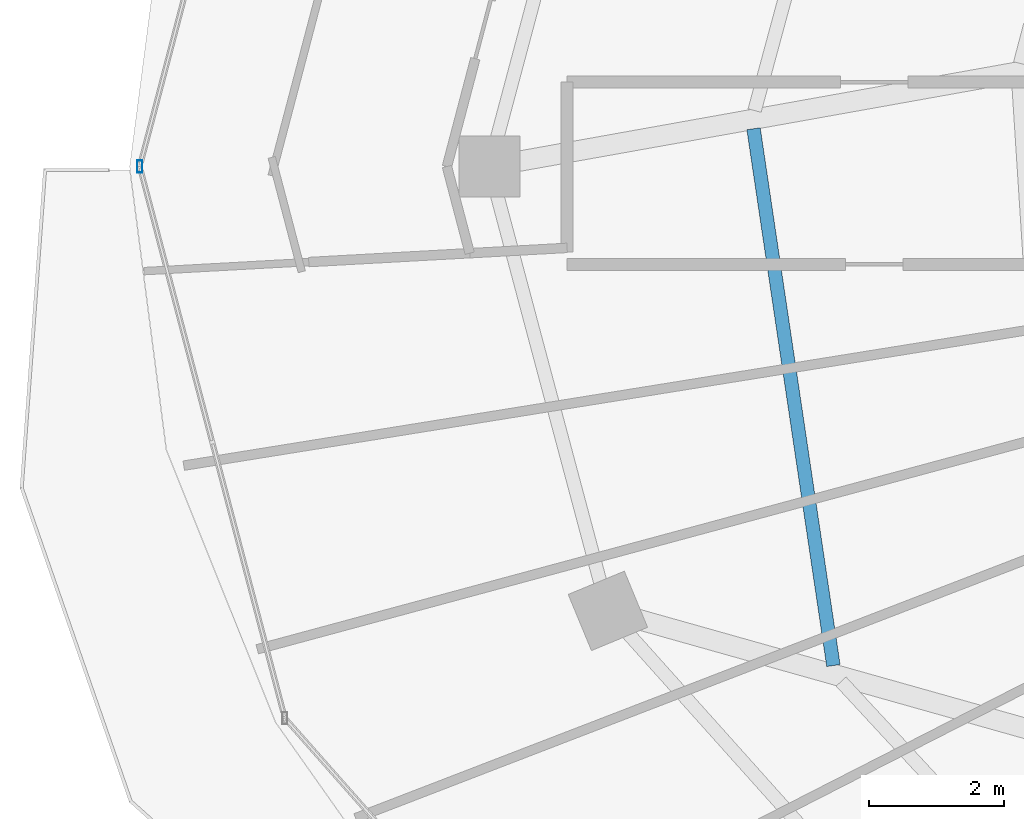
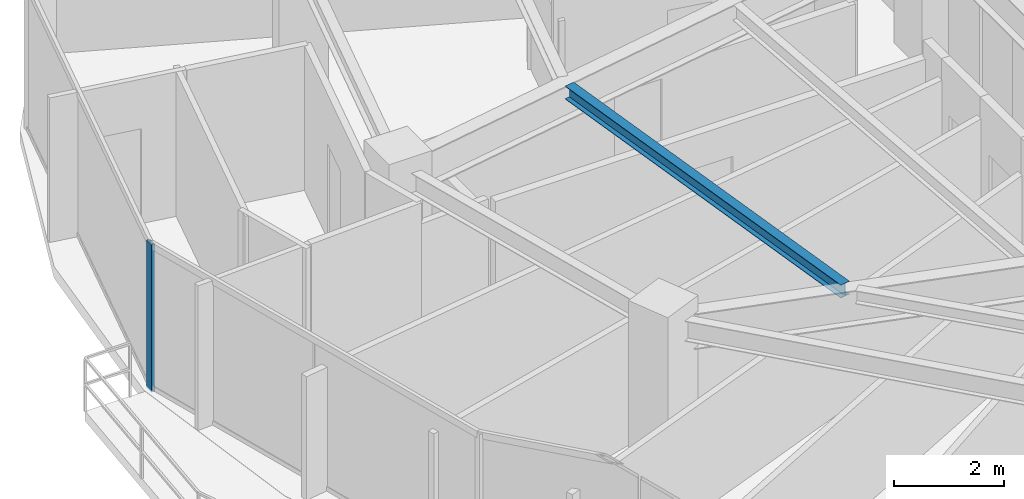
# One storey, part 7 of 33: 1 beam, 1 member, 1 element without a shape of its own.
"""IFC4 building model written with IfcOpenShell, lengths in metres."""

from ifc_helpers import new_model, si_unit, direction, frame, origin, origin_2d, place, context, subcontext, project, spatial, hollow_rectangle, i_section, extrude, material, material_profile, profile_set, type_object, element, aggregate, save


model = new_model("IFC4")

# Units and contexts
model_context = context("Model", 3, precision=1e-05, world=origin(), true_north=direction((0.0, 1.0)))
body_context = subcontext(model_context, "Body", "Model", "MODEL_VIEW")
ifc_project = project(units=[si_unit("LENGTHUNIT", "METRE"), si_unit("AREAUNIT", "SQUARE_METRE"), si_unit("VOLUMEUNIT", "CUBIC_METRE"), si_unit("PLANEANGLEUNIT", "RADIAN"), si_unit("MASSUNIT", "GRAM", prefix="KILO")], contexts=[model_context])

# Site, building, storey
site_placement = place(None, origin())
site = spatial("IfcSite", under=ifc_project, at=site_placement, CompositionType="ELEMENT")
building_placement = place(site_placement, origin())
building = spatial("IfcBuilding", under=site, at=building_placement, Name="Vorneva Point Tower", CompositionType="ELEMENT")
storey_placement = place(building_placement, frame((0.0, 0.0, 221.39990234375)))
storey = spatial("IfcBuildingStorey", under=building, at=storey_placement, Name="L60", CompositionType="ELEMENT", Elevation=221.39990234375)

# Beam
ifc_material_1 = material(Name="Steel S355", Category="steel")
ifc_material_profile_1 = material_profile(ifc_material_1, i_section(OverallWidth=0.199951171875, OverallDepth=0.291015625, WebThickness=0.008056640625, FlangeThickness=0.010986328125, at=origin_2d()), Name="30Sh1")
ifc_profile_set_1 = profile_set([ifc_material_profile_1], Name="Steel S355")
beam_type = type_object("IfcBeamType", Name="BM-SEC-30Sh1", PredefinedType="BEAM", material=ifc_profile_set_1)
beam_placement = place(storey_placement, frame((18.86181640625, 26.5595703125, 3.0546875), z_axis=(0.147176019299, -0.989110317074, 0.0), x_axis=(0.989110317074, 0.147176019299, 0.0)))
element("IfcBeam", 1, at=beam_placement, inside=storey, type_object=beam_type, Name="L60 Secondary Floor Beam 1.09", PredefinedType="BEAM", context=body_context, shape_type="SweptSolid", body=[
    extrude(i_section(OverallWidth=0.199951171875, OverallDepth=0.291015625, WebThickness=0.008056640625, FlangeThickness=0.010986328125, at=origin_2d()), origin(), (0.0, 0.0, 1.0), 8.038818359375),
])

# Curtain wall, member
ifc_material_2 = material(Name="Pale anodised aluminium", Category="aluminium")
curtain_wall_type = type_object("IfcCurtainWallType", Name="CW-RES-SYS", PredefinedType="NOTDEFINED", material=ifc_material_2)
curtain_wall_placement = place(storey_placement, origin())
curtain_wall = element("IfcCurtainWall", 2, at=curtain_wall_placement, inside=storey, type_object=curtain_wall_type, Name="L60 Unitised Curtain Wall CW-L60-R02", PredefinedType="NOTDEFINED")
ifc_material_profile_2 = material_profile(ifc_material_2, hollow_rectangle(XDim=0.074951171875, YDim=0.179931640625, WallThickness=0.00390625, at=origin_2d()), Name="AL-MUL 180x75x4")
ifc_profile_set_2 = profile_set([ifc_material_profile_2], Name="Pale anodised aluminium")
member_type = type_object("IfcMemberType", Name="CW-MUL-180", PredefinedType="MULLION", material=ifc_profile_set_2)
member_placement = place(storey_placement, frame((9.77001953125, 26.0, -0.039794921875), z_axis=(0.0, 0.0, 1.0), x_axis=(1.0, 0.0, 0.0)))
member = element("IfcMember", 3, at=member_placement, type_object=member_type, Name="CW-L60-R02 Mullion 03", PredefinedType="MULLION", context=body_context, shape_type="SweptSolid", body=[
    extrude(hollow_rectangle(XDim=0.074951171875, YDim=0.179931640625, WallThickness=0.00390625, at=origin_2d()), origin(), (0.0, 0.0, 1.0), 3.269775390625),
])
aggregate(curtain_wall, [member])

save(model, "model.ifc")
